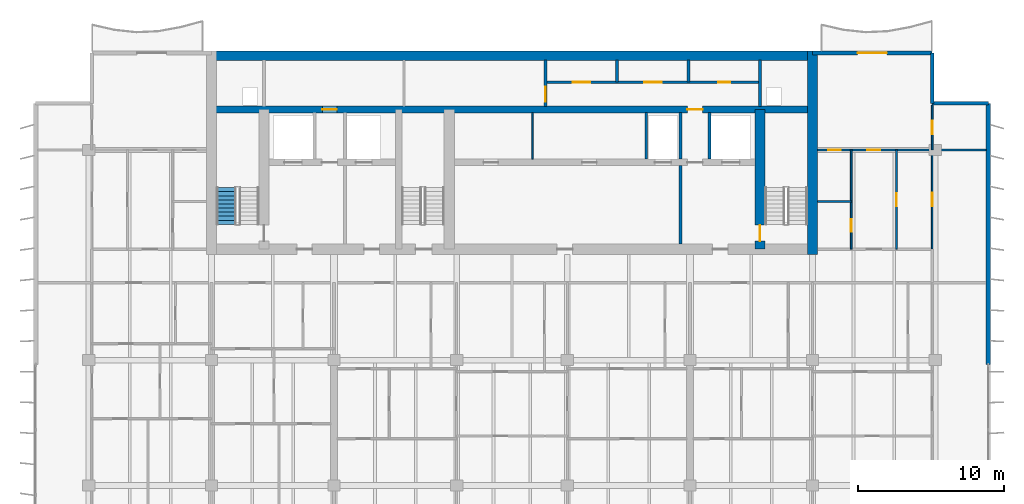
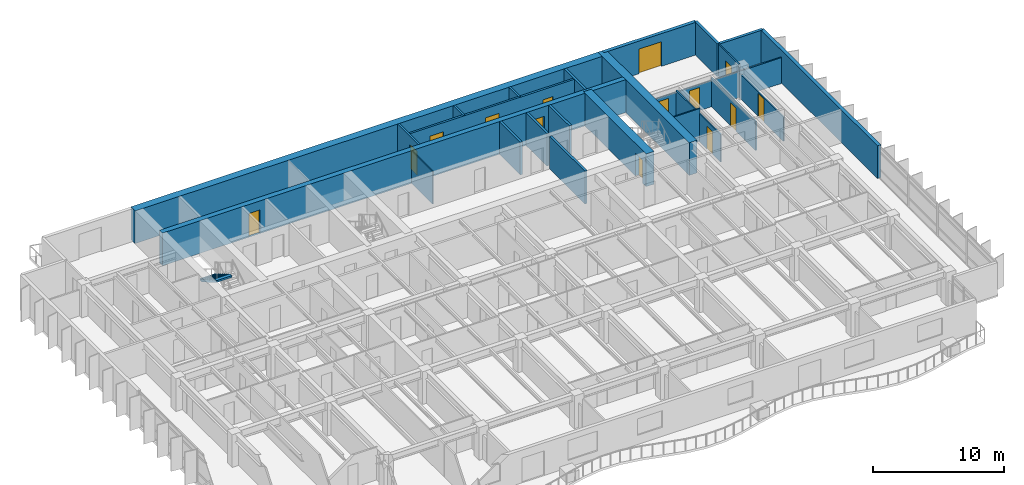
# One storey, part 12 of 17: 24 walls, 14 doors, 1 stair flight, 14 openings, 1 element without a shape of its own.
"""IFC4 building model written with IfcOpenShell, lengths in metres."""

from ifc_helpers import new_model, si_unit, direction, frame, frame_2d, origin, place, context, subcontext, project, spatial, polyline, rectangle, outline, extrude, material, layer, layer_set, type_object, element, fill, aggregate, save


model = new_model("IFC4")

# Units and contexts
model_context = context("Model", 3, precision=1e-05, world=origin(), true_north=direction((0.0, 1.0)))
body_context = subcontext(model_context, "Body", "Model", "MODEL_VIEW")
ifc_project = project(units=[si_unit("LENGTHUNIT", "METRE"), si_unit("AREAUNIT", "SQUARE_METRE"), si_unit("VOLUMEUNIT", "CUBIC_METRE"), si_unit("PLANEANGLEUNIT", "RADIAN"), si_unit("MASSUNIT", "GRAM", prefix="KILO")], contexts=[model_context])

# Site, building, storey
site_placement = place(None, origin())
site = spatial("IfcSite", under=ifc_project, at=site_placement, CompositionType="ELEMENT")
building_placement = place(site_placement, origin())
building = spatial("IfcBuilding", under=site, at=building_placement, Name="Caelmar Bay Residences", CompositionType="ELEMENT")
storey_placement = place(building_placement, frame((0.0, 0.0, 201.60009765625)))
storey = spatial("IfcBuildingStorey", under=building, at=storey_placement, Name="L56", CompositionType="ELEMENT", Elevation=201.60009765625)

# Wall
ifc_material_1 = material(Name="Concrete f'c 55 MPa (8,000 psi)", Category="concrete")
ifc_layer_1 = layer(ifc_material_1, 0.699951171875)
ifc_layer_set_1 = layer_set([ifc_layer_1], Name="Concrete f'c 55 MPa (8,000 psi)")
wall_type_1 = type_object("IfcWallType", Name="SW-COR-700", PredefinedType="SHEAR", material=ifc_layer_set_1)
wall_1_placement = place(storey_placement, frame((59.5, 36.64990234375, 0.0), z_axis=(0.0, 0.0, 1.0), x_axis=(0.0, 1.0, 0.0)))
element("IfcWall", 1, at=wall_1_placement, inside=storey, type_object=wall_type_1, Name="L56 Rear Core East Shear Wall", PredefinedType="SHEAR", context=body_context, shape_type="SweptSolid", body=[
    extrude(rectangle(XDim=13.9501953125, YDim=0.699951171875, at=frame_2d((6.97509765625, 0.0))), origin(), (0.0, 0.0, 1.0), 3.0498046875),
])

# Wall, opening, door
wall_2_placement = place(storey_placement, frame((55.89990234375, 37.0, 0.0), z_axis=(0.0, 0.0, 1.0), x_axis=(0.0, 1.0, 0.0)))
wall_2 = element("IfcWall", 2, at=wall_2_placement, inside=storey, type_object=wall_type_1, Name="L56 Core Structural Web Wall ST2W", PredefinedType="SHEAR", context=body_context, shape_type="SweptSolid", body=[
    extrude(rectangle(XDim=9.574951171875, YDim=0.699951171875, at=frame_2d((4.78759765625, 0.0))), origin(), (0.0, 0.0, 1.0), 3.0498046875),
])
opening_1_placement = place(wall_2_placement, frame((0.550048828125, 0.0, 0.0)))
opening_1 = element("IfcOpeningElement", 3, at=opening_1_placement, cuts=wall_2, Name="Opening D-L56-110", PredefinedType="OPENING", context=body_context, shape_type="SweptSolid", body=[
    extrude(rectangle(XDim=1.10009765625, YDim=2.14990234375, at=frame_2d((0.550048828125, 1.074951171875))), frame((0.0, 0.35986328125, 0.0), z_axis=(0.0, -1.0, 0.0), x_axis=(1.0, 0.0, 0.0)), (0.0, 0.0, 1.0), 0.719970703125),
])
ifc_material_2 = material(Name="Fire-rated steel and walnut architectural door assembly", Category="steel")
ifc_layer_2 = layer(ifc_material_2, 0.050048828125)
ifc_layer_set_2 = layer_set([ifc_layer_2], Name="Fire-rated steel and walnut architectural door assembly")
door_type_1 = type_object("IfcDoorType", Name="D-STAIR-1100", OperationType="NOTDEFINED", PredefinedType="DOOR", material=ifc_layer_set_2)
door_1_placement = place(opening_1_placement, origin())
door_1 = element("IfcDoor", 4, at=door_1_placement, inside=storey, type_object=door_type_1, Name="L56 Firefighting Lobby East Door", OperationType="SINGLE_SWING_RIGHT", OverallHeight=2.14990234375, OverallWidth=1.10009765625, PredefinedType="DOOR", context=body_context, shape_type="SweptSolid", body=[
    extrude(rectangle(XDim=1.10009765625, YDim=2.14990234375, at=frame_2d((0.550048828125, 1.074951171875))), frame((0.0, 0.02490234375, 0.0), z_axis=(0.0, -1.0, 0.0), x_axis=(1.0, 0.0, 0.0)), (0.0, 0.0, 1.0), 0.050048828125),
])
fill(opening_1, door_1)

# Wall
ifc_layer_3 = layer(ifc_material_1, 0.64990234375)
ifc_layer_set_3 = layer_set([ifc_layer_3], Name="Concrete f'c 55 MPa (8,000 psi)")
wall_type_2 = type_object("IfcWallType", Name="SW-CORN-650", PredefinedType="SHEAR", material=ifc_layer_set_3)
wall_3_placement = place(storey_placement, frame((17.949951171875, 50.27490234375, 0.0), z_axis=(0.0, 0.0, 1.0), x_axis=(1.0, 0.0, 0.0)))
element("IfcWall", 5, at=wall_3_placement, inside=storey, type_object=wall_type_2, Name="L56 Rear Core North Shear Wall", PredefinedType="SHEAR", context=body_context, shape_type="SweptSolid", body=[
    extrude(rectangle(XDim=41.900146484375, YDim=0.64990234375, at=frame_2d((20.9501953125, 0.0))), origin(), (0.0, 0.0, 1.0), 3.0498046875),
])

# Wall, openings, doors
ifc_material_3 = material(Name="Concrete f'c 70 MPa (10,000 psi)", Category="concrete")
ifc_layer_4 = layer(ifc_material_3, 0.449951171875)
ifc_layer_set_4 = layer_set([ifc_layer_4], Name="Concrete f'c 70 MPa (10,000 psi)")
wall_type_3 = type_object("IfcWallType", Name="SW-WEB-450", PredefinedType="SHEAR", material=ifc_layer_set_4)
wall_4_placement = place(storey_placement, frame((18.300048828125, 46.574951171875, 0.0), z_axis=(0.0, 0.0, 1.0), x_axis=(1.0, 0.0, 0.0)))
wall_4 = element("IfcWall", 6, at=wall_4_placement, inside=storey, type_object=wall_type_3, Name="L56 Core Structural Web Wall SRVS", PredefinedType="SHEAR", context=body_context, shape_type="SweptSolid", body=[
    extrude(rectangle(XDim=41.199951171875, YDim=0.449951171875, at=frame_2d((20.60009765625, 0.0))), origin(), (0.0, 0.0, 1.0), 3.0498046875),
])
opening_2_placement = place(wall_4_placement, frame((7.60009765625, 0.0, 0.0)))
opening_2 = element("IfcOpeningElement", 7, at=opening_2_placement, cuts=wall_4, Name="Opening D-L56-116", PredefinedType="OPENING", context=body_context, shape_type="SweptSolid", body=[
    extrude(rectangle(XDim=1.0, YDim=2.199951171875, at=frame_2d((0.5, 1.10009765625))), frame((0.0, 0.23486328125, 0.0), z_axis=(0.0, -1.0, 0.0), x_axis=(1.0, 0.0, 0.0)), (0.0, 0.0, 1.0), 0.469970703125),
])
opening_3_placement = place(wall_4_placement, frame((32.625, 0.0, 0.0)))
opening_3 = element("IfcOpeningElement", 8, at=opening_3_placement, cuts=wall_4, Name="Opening D-L56-117", PredefinedType="OPENING", context=body_context, shape_type="SweptSolid", body=[
    extrude(rectangle(XDim=1.050048828125, YDim=2.14990234375, at=frame_2d((0.52490234375, 1.074951171875))), frame((0.0, 0.23486328125, 0.0), z_axis=(0.0, -1.0, 0.0), x_axis=(1.0, 0.0, 0.0)), (0.0, 0.0, 1.0), 0.469970703125),
])
ifc_layer_5 = layer(ifc_material_2, 0.050048828125)
ifc_layer_set_5 = layer_set([ifc_layer_5], Name="Fire-rated steel and walnut architectural door assembly")
door_type_2 = type_object("IfcDoorType", Name="D-FSAE-1050", OperationType="NOTDEFINED", PredefinedType="DOOR", material=ifc_layer_set_5)
door_2_placement = place(opening_3_placement, origin())
door_2 = element("IfcDoor", 9, at=door_2_placement, inside=storey, type_object=door_type_2, Name="L56 East Core Service Corridor Door", OperationType="SINGLE_SWING_LEFT", OverallHeight=2.14990234375, OverallWidth=1.050048828125, PredefinedType="DOOR", context=body_context, shape_type="SweptSolid", body=[
    extrude(rectangle(XDim=1.050048828125, YDim=2.14990234375, at=frame_2d((0.52490234375, 1.074951171875))), frame((0.0, 0.02490234375, 0.0), z_axis=(0.0, -1.0, 0.0), x_axis=(1.0, 0.0, 0.0)), (0.0, 0.0, 1.0), 0.050048828125),
])
fill(opening_3, door_2)
ifc_layer_6 = layer(ifc_material_2, 0.050048828125)
ifc_layer_set_6 = layer_set([ifc_layer_6], Name="Fire-rated steel and walnut architectural door assembly")
door_type_3 = type_object("IfcDoorType", Name="D-UNIT-1000", OperationType="NOTDEFINED", PredefinedType="DOOR", material=ifc_layer_set_6)
door_3_placement = place(opening_2_placement, origin())
door_3 = element("IfcDoor", 10, at=door_3_placement, inside=storey, type_object=door_type_3, Name="L56 Package Concierge Office Door", OperationType="SINGLE_SWING_RIGHT", OverallHeight=2.199951171875, OverallWidth=1.0, PredefinedType="DOOR", context=body_context, shape_type="SweptSolid", body=[
    extrude(rectangle(XDim=1.0, YDim=2.199951171875, at=frame_2d((0.5, 1.10009765625))), frame((0.0, 0.02490234375, 0.0), z_axis=(0.0, -1.0, 0.0), x_axis=(1.0, 0.0, 0.0)), (0.0, 0.0, 1.0), 0.050048828125),
])
fill(opening_2, door_3)

# Wall, opening, door
ifc_material_4 = material(Name="Double-stud acoustic fire-rated gypsum partition 180 mm")
ifc_layer_7 = layer(ifc_material_4, 0.179931640625)
ifc_layer_set_7 = layer_set([ifc_layer_7], Name="Double-stud acoustic fire-rated gypsum partition 180 mm")
wall_type_4 = type_object("IfcWallType", Name="W-COR-200", PredefinedType="PARTITIONING", material=ifc_layer_set_7)
wall_5_placement = place(storey_placement, frame((41.199951171875, 46.794921875, 0.0), z_axis=(0.0, 0.0, 1.0), x_axis=(0.0, 1.0, 0.0)))
wall_5 = element("IfcWall", 11, at=wall_5_placement, inside=storey, type_object=wall_type_4, Name="L56 Partition Wall V031", PredefinedType="PARTITIONING", context=body_context, shape_type="SweptSolid", body=[
    extrude(rectangle(XDim=3.16015625, YDim=0.179931640625, at=frame_2d((1.580078125, 0.0))), origin(), (0.0, 0.0, 1.0), 3.0498046875),
])
opening_4_placement = place(wall_5_placement, frame((0.327392578125, 0.0, 0.0)))
opening_4 = element("IfcOpeningElement", 12, at=opening_4_placement, cuts=wall_5, Name="Opening D-L56-118", PredefinedType="OPENING", context=body_context, shape_type="SweptSolid", body=[
    extrude(rectangle(XDim=1.0, YDim=2.199951171875, at=frame_2d((0.5, 1.10009765625))), frame((0.0, 0.099853515625, 0.0), z_axis=(0.0, -1.0, 0.0), x_axis=(1.0, 0.0, 0.0)), (0.0, 0.0, 1.0), 0.199951171875),
])
door_4_placement = place(opening_4_placement, origin())
door_4 = element("IfcDoor", 13, at=door_4_placement, inside=storey, type_object=door_type_3, Name="L56 Engineering Control Office Door", OperationType="SINGLE_SWING_RIGHT", OverallHeight=2.199951171875, OverallWidth=1.0, PredefinedType="DOOR", context=body_context, shape_type="SweptSolid", body=[
    extrude(rectangle(XDim=1.0, YDim=2.199951171875, at=frame_2d((0.5, 1.10009765625))), frame((0.0, 0.02490234375, 0.0), z_axis=(0.0, -1.0, 0.0), x_axis=(1.0, 0.0, 0.0)), (0.0, 0.0, 1.0), 0.050048828125),
])
fill(opening_4, door_4)

# Walls
for number, where, z_axis, x_axis, name in (
    (14, (46.10009765625, 48.449951171875, 0.0), (0.0, 0.0, 1.0), (0.0, 1.0, 0.0), "L56 Partition Wall V034"),
    (15, (51.0, 48.449951171875, 0.0), (0.0, 0.0, 1.0), (0.0, 1.0, 0.0), "L56 Partition Wall V039"),
):
    element("IfcWall", number, at=place(storey_placement, frame(where, z_axis=z_axis, x_axis=x_axis)), inside=storey, type_object=wall_type_4, Name=name, PredefinedType="PARTITIONING", context=body_context, shape_type="SweptSolid", body=[
        extrude(rectangle(XDim=1.505126953125, YDim=0.179931640625, at=frame_2d((0.75244140625, 0.0))), origin(), (0.0, 0.0, 1.0), 3.0498046875),
    ])

# Wall, openings, doors
wall_6_placement = place(storey_placement, frame((41.199951171875, 48.449951171875, 0.0), z_axis=(0.0, 0.0, 1.0), x_axis=(1.0, 0.0, 0.0)))
wall_6 = element("IfcWall", 16, at=wall_6_placement, inside=storey, type_object=wall_type_4, Name="L56 Partition Wall H087", PredefinedType="PARTITIONING", context=body_context, shape_type="SweptSolid", body=[
    extrude(rectangle(XDim=14.699951171875, YDim=0.179931640625, at=frame_2d((7.35009765625, 0.0))), origin(), (0.0, 0.0, 1.0), 3.0498046875),
])
opening_5_placement = place(wall_6_placement, frame((1.85009765625, 0.0, 0.0)))
opening_5 = element("IfcOpeningElement", 17, at=opening_5_placement, cuts=wall_6, Name="Opening D-L56-119", PredefinedType="OPENING", context=body_context, shape_type="SweptSolid", body=[
    extrude(rectangle(XDim=1.199951171875, YDim=2.199951171875, at=frame_2d((0.60009765625, 1.10009765625))), frame((0.0, 0.099853515625, 0.0), z_axis=(0.0, -1.0, 0.0), x_axis=(1.0, 0.0, 0.0)), (0.0, 0.0, 1.0), 0.199951171875),
])
opening_6_placement = place(wall_6_placement, frame((6.75, 0.0, 0.0)))
opening_6 = element("IfcOpeningElement", 18, at=opening_6_placement, cuts=wall_6, Name="Opening D-L56-120", PredefinedType="OPENING", context=body_context, shape_type="SweptSolid", body=[
    extrude(rectangle(XDim=1.199951171875, YDim=2.199951171875, at=frame_2d((0.60009765625, 1.10009765625))), frame((0.0, 0.099853515625, 0.0), z_axis=(0.0, -1.0, 0.0), x_axis=(1.0, 0.0, 0.0)), (0.0, 0.0, 1.0), 0.199951171875),
])
opening_7_placement = place(wall_6_placement, frame((11.824951171875, 0.0, 0.0)))
opening_7 = element("IfcOpeningElement", 19, at=opening_7_placement, cuts=wall_6, Name="Opening D-L56-121", PredefinedType="OPENING", context=body_context, shape_type="SweptSolid", body=[
    extrude(rectangle(XDim=0.85009765625, YDim=2.10009765625, at=frame_2d((0.425048828125, 1.050048828125))), frame((0.0, 0.099853515625, 0.0), z_axis=(0.0, -1.0, 0.0), x_axis=(1.0, 0.0, 0.0)), (0.0, 0.0, 1.0), 0.199951171875),
])
ifc_layer_8 = layer(ifc_material_2, 0.050048828125)
ifc_layer_set_8 = layer_set([ifc_layer_8], Name="Fire-rated steel and walnut architectural door assembly")
door_type_4 = type_object("IfcDoorType", Name="D-CORE-850", OperationType="NOTDEFINED", PredefinedType="DOOR", material=ifc_layer_set_8)
door_5_placement = place(opening_7_placement, origin())
door_5 = element("IfcDoor", 20, at=door_5_placement, inside=storey, type_object=door_type_4, Name="L56 Accessible Staff WC Door", OperationType="SINGLE_SWING_LEFT", OverallHeight=2.10009765625, OverallWidth=0.85009765625, PredefinedType="DOOR", context=body_context, shape_type="SweptSolid", body=[
    extrude(rectangle(XDim=0.85009765625, YDim=2.10009765625, at=frame_2d((0.425048828125, 1.050048828125))), frame((0.0, 0.02490234375, 0.0), z_axis=(0.0, -1.0, 0.0), x_axis=(1.0, 0.0, 0.0)), (0.0, 0.0, 1.0), 0.050048828125),
])
fill(opening_7, door_5)
ifc_layer_9 = layer(ifc_material_2, 0.050048828125)
ifc_layer_set_9 = layer_set([ifc_layer_9], Name="Fire-rated steel and walnut architectural door assembly")
door_type_5 = type_object("IfcDoorType", Name="D-PLANT-1200", OperationType="NOTDEFINED", PredefinedType="DOOR", material=ifc_layer_set_9)
door_6_placement = place(opening_5_placement, origin())
door_6 = element("IfcDoor", 21, at=door_6_placement, inside=storey, type_object=door_type_5, Name="L56 Electrical Closet Door", OperationType="SINGLE_SWING_LEFT", OverallHeight=2.199951171875, OverallWidth=1.199951171875, PredefinedType="DOOR", context=body_context, shape_type="SweptSolid", body=[
    extrude(rectangle(XDim=1.199951171875, YDim=2.199951171875, at=frame_2d((0.60009765625, 1.10009765625))), frame((0.0, 0.02490234375, 0.0), z_axis=(0.0, -1.0, 0.0), x_axis=(1.0, 0.0, 0.0)), (0.0, 0.0, 1.0), 0.050048828125),
])
fill(opening_5, door_6)
door_7_placement = place(opening_6_placement, origin())
door_7 = element("IfcDoor", 22, at=door_7_placement, inside=storey, type_object=door_type_5, Name="L56 Housekeeping Linen Closet Door", OperationType="SINGLE_SWING_RIGHT", OverallHeight=2.199951171875, OverallWidth=1.199951171875, PredefinedType="DOOR", context=body_context, shape_type="SweptSolid", body=[
    extrude(rectangle(XDim=1.199951171875, YDim=2.199951171875, at=frame_2d((0.60009765625, 1.10009765625))), frame((0.0, 0.02490234375, 0.0), z_axis=(0.0, -1.0, 0.0), x_axis=(1.0, 0.0, 0.0)), (0.0, 0.0, 1.0), 0.050048828125),
])
fill(opening_6, door_7)

# Walls
ifc_material_5 = material(Name="Precast concrete f'c 40 MPa (6,000 psi)", Category="concrete")
ifc_layer_10 = layer(ifc_material_5, 0.25)
ifc_layer_set_10 = layer_set([ifc_layer_10], Name="Precast concrete f'c 40 MPa (6,000 psi)")
wall_type_5 = type_object("IfcWallType", Name="W-EXT-250", PredefinedType="ELEMENTEDWALL", material=ifc_layer_set_10)
wall_7_placement = place(storey_placement, frame((67.699951171875, 50.449951171875, 0.0), z_axis=(0.0, 0.0, 1.0), x_axis=(0.0, -1.0, 0.0)))
element("IfcWall", 23, at=wall_7_placement, inside=storey, type_object=wall_type_5, Name="L56 NNE-V Notch Wall", PredefinedType="ELEMENTEDWALL", context=body_context, shape_type="SweptSolid", body=[
    extrude(rectangle(XDim=3.449951171875, YDim=0.25, at=frame_2d((1.72509765625, 0.0))), origin(), (0.0, 0.0, 1.0), 3.0498046875),
])
wall_8_placement = place(storey_placement, frame((67.699951171875, 47.0, 0.0), z_axis=(0.0, 0.0, 1.0), x_axis=(1.0, 0.0, 0.0)))
element("IfcWall", 24, at=wall_8_placement, inside=storey, type_object=wall_type_5, Name="L56 NNE-H Notch Wall", PredefinedType="ELEMENTEDWALL", context=body_context, shape_type="SweptSolid", body=[
    extrude(rectangle(XDim=3.85009765625, YDim=0.25, at=frame_2d((1.925048828125, 0.0))), origin(), (0.0, 0.0, 1.0), 3.0498046875),
])
ifc_layer_11 = layer(ifc_material_5, 0.300048828125)
ifc_layer_set_11 = layer_set([ifc_layer_11], Name="Precast concrete f'c 40 MPa (6,000 psi)")
wall_type_6 = type_object("IfcWallType", Name="W-EXT-300", PredefinedType="STANDARD", material=ifc_layer_set_11)
wall_9_placement = place(storey_placement, frame((71.550048828125, 47.0, 0.0), z_axis=(0.0, 0.0, 1.0), x_axis=(0.0, -1.0, 0.0)))
element("IfcWall", 25, at=wall_9_placement, inside=storey, type_object=wall_type_6, Name="L56 East Rear Exterior Wall", PredefinedType="STANDARD", context=body_context, shape_type="SweptSolid", body=[
    extrude(rectangle(XDim=17.89990234375, YDim=0.300048828125, at=frame_2d((8.949951171875, 0.0))), origin(), (0.0, 0.0, 1.0), 3.0498046875),
])

# Wall, opening, door
wall_10_placement = place(storey_placement, frame((59.5, 50.449951171875, 0.0), z_axis=(0.0, 0.0, 1.0), x_axis=(1.0, 0.0, 0.0)))
wall_10 = element("IfcWall", 26, at=wall_10_placement, inside=storey, type_object=wall_type_6, Name="L56 North-East Wing Exterior Wall", PredefinedType="STANDARD", context=body_context, shape_type="SweptSolid", body=[
    extrude(rectangle(XDim=8.199951171875, YDim=0.300048828125, at=frame_2d((4.10009765625, 0.0))), origin(), (0.0, 0.0, 1.0), 3.0498046875),
])
opening_8_placement = place(wall_10_placement, frame((3.10009765625, 0.0, 0.0)))
opening_8 = element("IfcOpeningElement", 27, at=opening_8_placement, cuts=wall_10, Name="Opening L56-BDNE", PredefinedType="OPENING", context=body_context, shape_type="SweptSolid", body=[
    extrude(rectangle(XDim=2.0, YDim=2.300048828125, at=frame_2d((1.0, 1.14990234375))), frame((0.0, 0.159912109375, 0.0), z_axis=(0.0, -1.0, 0.0), x_axis=(1.0, 0.0, 0.0)), (0.0, 0.0, 1.0), 0.320068359375),
])
ifc_material_6 = material(Name="Anodised bronze thermally broken sliding glass door", Category="glass")
ifc_layer_12 = layer(ifc_material_6, 0.050048828125)
ifc_layer_set_12 = layer_set([ifc_layer_12], Name="Anodised bronze thermally broken sliding glass door")
door_type_6 = type_object("IfcDoorType", Name="D-BAL-2000", OperationType="DOUBLE_DOOR_SLIDING", PredefinedType="DOOR", material=ifc_layer_set_12)
door_8_placement = place(opening_8_placement, origin())
door_8 = element("IfcDoor", 28, at=door_8_placement, inside=storey, type_object=door_type_6, Name="L56 North-East Balcony Door", OperationType="DOUBLE_DOOR_SLIDING", OverallHeight=2.300048828125, OverallWidth=2.0, PredefinedType="DOOR", context=body_context, shape_type="SweptSolid", body=[
    extrude(rectangle(XDim=2.0, YDim=2.300048828125, at=frame_2d((1.0, 1.14990234375))), frame((0.0, 0.02490234375, 0.0), z_axis=(0.0, -1.0, 0.0), x_axis=(1.0, 0.0, 0.0)), (0.0, 0.0, 1.0), 0.050048828125),
])
fill(opening_8, door_8)

# Walls
ifc_material_7 = material(Name="Fire-rated masonry and gypsum shaftliner assembly 200 mm", Category="masonry")
ifc_layer_13 = layer(ifc_material_7, 0.199951171875)
ifc_layer_set_13 = layer_set([ifc_layer_13], Name="Fire-rated masonry and gypsum shaftliner assembly 200 mm")
wall_type_7 = type_object("IfcWallType", Name="W-FSAE-200", PredefinedType="PARTITIONING", material=ifc_layer_set_13)
wall_11_placement = place(storey_placement, frame((48.10009765625, 43.169921875, 0.0), z_axis=(0.0, 0.0, 1.0), x_axis=(0.0, 1.0, 0.0)))
element("IfcWall", 29, at=wall_11_placement, inside=storey, type_object=wall_type_7, Name="L56 Partition Wall V035", PredefinedType="PARTITIONING", context=body_context, shape_type="SweptSolid", body=[
    extrude(rectangle(XDim=3.18505859375, YDim=0.199951171875, at=frame_2d((1.592529296875, 0.0))), origin(), (0.0, 0.0, 1.0), 3.0498046875),
])
wall_12_placement = place(storey_placement, frame((50.449951171875, 37.344970703125, 0.0), z_axis=(0.0, 0.0, 1.0), x_axis=(0.0, 1.0, 0.0)))
element("IfcWall", 30, at=wall_12_placement, inside=storey, type_object=wall_type_7, Name="L56 Partition Wall V037", PredefinedType="PARTITIONING", context=body_context, shape_type="SweptSolid", body=[
    extrude(rectangle(XDim=5.385009765625, YDim=0.199951171875, at=frame_2d((2.6923828125, 0.0))), origin(), (0.0, 0.0, 1.0), 3.0498046875),
])
for number, where, z_axis, x_axis, name in (
    (31, (50.449951171875, 43.169921875, 0.0), (0.0, 0.0, 1.0), (0.0, 1.0, 0.0), "L56 Partition Wall V038"),
    (32, (52.449951171875, 43.169921875, 0.0), (0.0, 0.0, 1.0), (0.0, 1.0, 0.0), "L56 Partition Wall V043"),
):
    element("IfcWall", number, at=place(storey_placement, frame(where, z_axis=z_axis, x_axis=x_axis)), inside=storey, type_object=wall_type_7, Name=name, PredefinedType="PARTITIONING", context=body_context, shape_type="SweptSolid", body=[
        extrude(rectangle(XDim=3.18505859375, YDim=0.199951171875, at=frame_2d((1.592529296875, 0.0))), origin(), (0.0, 0.0, 1.0), 3.0498046875),
    ])
wall_13_placement = place(storey_placement, frame((55.89990234375, 46.794921875, 0.0), z_axis=(0.0, 0.0, 1.0), x_axis=(0.0, 1.0, 0.0)))
element("IfcWall", 33, at=wall_13_placement, inside=storey, type_object=wall_type_7, Name="L56 Partition Wall V045", PredefinedType="PARTITIONING", context=body_context, shape_type="SweptSolid", body=[
    extrude(rectangle(XDim=3.16015625, YDim=0.199951171875, at=frame_2d((1.580078125, 0.0))), origin(), (0.0, 0.0, 1.0), 3.0498046875),
])
ifc_material_8 = material(Name="Anodised bronze framed acoustic sliding study partition 100 mm")
ifc_layer_14 = layer(ifc_material_8, 0.10009765625)
ifc_layer_set_14 = layer_set([ifc_layer_14], Name="Anodised bronze framed acoustic sliding study partition 100 mm")
wall_type_8 = type_object("IfcWallType", Name="W-MOV-100", PredefinedType="MOVABLE", material=ifc_layer_set_14)
wall_14_placement = place(storey_placement, frame((40.300048828125, 43.169921875, 0.0), z_axis=(0.0, 0.0, 1.0), x_axis=(0.0, 1.0, 0.0)))
element("IfcWall", 34, at=wall_14_placement, inside=storey, type_object=wall_type_8, Name="L56 Partition Wall V029", PredefinedType="MOVABLE", context=body_context, shape_type="SweptSolid", body=[
    extrude(rectangle(XDim=3.18505859375, YDim=0.10009765625, at=frame_2d((1.592529296875, 0.0))), origin(), (0.0, 0.0, 1.0), 3.0498046875),
])

# Wall, opening, door
wall_15_placement = place(storey_placement, frame((67.699951171875, 37.0048828125, 0.0), z_axis=(0.0, 0.0, 1.0), x_axis=(0.0, 1.0, 0.0)))
wall_15 = element("IfcWall", 35, at=wall_15_placement, inside=storey, type_object=wall_type_8, Name="L56 Partition Wall V054", PredefinedType="MOVABLE", context=body_context, shape_type="SweptSolid", body=[
    extrude(rectangle(XDim=6.795166015625, YDim=0.10009765625, at=frame_2d((3.3974609375, 0.0))), origin(), (0.0, 0.0, 1.0), 2.262939453125),
])
opening_9_placement = place(wall_15_placement, frame((2.947509765625, 0.0, 0.0)))
opening_9 = element("IfcOpeningElement", 36, at=opening_9_placement, cuts=wall_15, Name="Opening D-L56-175", PredefinedType="OPENING", context=body_context, shape_type="SweptSolid", body=[
    extrude(rectangle(XDim=0.89990234375, YDim=2.14990234375, at=frame_2d((0.449951171875, 1.074951171875))), frame((0.0, 0.06005859375, 0.0), z_axis=(0.0, -1.0, 0.0), x_axis=(1.0, 0.0, 0.0)), (0.0, 0.0, 1.0), 0.1201171875),
])
ifc_material_9 = material(Name="Solid walnut timber interior door leaf and frame", Category="wood")
ifc_layer_15 = layer(ifc_material_9, 0.050048828125)
ifc_layer_set_15 = layer_set([ifc_layer_15], Name="Solid walnut timber interior door leaf and frame")
door_type_7 = type_object("IfcDoorType", Name="D-ROOM-900", OperationType="NOTDEFINED", PredefinedType="DOOR", material=ifc_layer_set_15)
door_9_placement = place(opening_9_placement, origin())
door_9 = element("IfcDoor", 37, at=door_9_placement, inside=storey, type_object=door_type_7, Name="L56 Residence EA Sun Study Door", OperationType="SINGLE_SWING_LEFT", OverallHeight=2.14990234375, OverallWidth=0.89990234375, PredefinedType="DOOR", context=body_context, shape_type="SweptSolid", body=[
    extrude(rectangle(XDim=0.89990234375, YDim=2.14990234375, at=frame_2d((0.449951171875, 1.074951171875))), frame((0.0, 0.02490234375, 0.0), z_axis=(0.0, -1.0, 0.0), x_axis=(1.0, 0.0, 0.0)), (0.0, 0.0, 1.0), 0.050048828125),
])
fill(opening_9, door_9)

ifc_material_10 = material(Name="Acoustic metal-stud gypsum partition 120 mm")
ifc_layer_16 = layer(ifc_material_10, 0.1201171875)
ifc_layer_set_16 = layer_set([ifc_layer_16], Name="Acoustic metal-stud gypsum partition 120 mm")
wall_type_9 = type_object("IfcWallType", Name="W-PRT-120", PredefinedType="PARTITIONING", material=ifc_layer_set_16)
wall_16_placement = place(storey_placement, frame((62.14990234375, 37.0, 0.0), z_axis=(0.0, 0.0, 1.0), x_axis=(0.0, 1.0, 0.0)))
wall_16 = element("IfcWall", 38, at=wall_16_placement, inside=storey, type_object=wall_type_9, Name="L56 Partition Wall V049", PredefinedType="PARTITIONING", context=body_context, shape_type="SweptSolid", body=[
    extrude(rectangle(XDim=6.800048828125, YDim=0.1201171875, at=frame_2d((3.39990234375, 0.0))), origin(), (0.0, 0.0, 1.0), 2.577880859375),
])
opening_10_placement = place(wall_16_placement, frame((1.20703125, 0.0, 0.0)))
opening_10 = element("IfcOpeningElement", 39, at=opening_10_placement, cuts=wall_16, Name="Opening D-L56-173", PredefinedType="OPENING", context=body_context, shape_type="SweptSolid", body=[
    extrude(rectangle(XDim=0.85009765625, YDim=2.10009765625, at=frame_2d((0.425048828125, 1.050048828125))), frame((0.0, 0.070068359375, 0.0), z_axis=(0.0, -1.0, 0.0), x_axis=(1.0, 0.0, 0.0)), (0.0, 0.0, 1.0), 0.14013671875),
])
ifc_layer_17 = layer(ifc_material_9, 0.050048828125)
ifc_layer_set_17 = layer_set([ifc_layer_17], Name="Solid walnut timber interior door leaf and frame")
door_type_8 = type_object("IfcDoorType", Name="D-BATH-850", OperationType="NOTDEFINED", PredefinedType="DOOR", material=ifc_layer_set_17)
door_10_placement = place(opening_10_placement, origin())
door_10 = element("IfcDoor", 40, at=door_10_placement, inside=storey, type_object=door_type_8, Name="L56 Residence EA Walk-In Closet Door", OperationType="SINGLE_SWING_LEFT", OverallHeight=2.10009765625, OverallWidth=0.85009765625, PredefinedType="DOOR", context=body_context, shape_type="SweptSolid", body=[
    extrude(rectangle(XDim=0.85009765625, YDim=2.10009765625, at=frame_2d((0.425048828125, 1.050048828125))), frame((0.0, 0.02490234375, 0.0), z_axis=(0.0, -1.0, 0.0), x_axis=(1.0, 0.0, 0.0)), (0.0, 0.0, 1.0), 0.050048828125),
])
fill(opening_10, door_10)

wall_17_placement = place(storey_placement, frame((65.258056640625, 37.0, 0.0), z_axis=(0.0, 0.0, 1.0), x_axis=(0.0, 1.0, 0.0)))
wall_17 = element("IfcWall", 41, at=wall_17_placement, inside=storey, type_object=wall_type_9, Name="L56 Partition Wall V050", PredefinedType="PARTITIONING", context=body_context, shape_type="SweptSolid", body=[
    extrude(rectangle(XDim=6.800048828125, YDim=0.1201171875, at=frame_2d((3.39990234375, 0.0))), origin(), (0.0, 0.0, 1.0), 2.678955078125),
])
opening_11_placement = place(wall_17_placement, frame((2.949951171875, 0.0, 0.0)))
opening_11 = element("IfcOpeningElement", 42, at=opening_11_placement, cuts=wall_17, Name="Opening D-L56-170", PredefinedType="OPENING", context=body_context, shape_type="SweptSolid", body=[
    extrude(rectangle(XDim=0.89990234375, YDim=2.14990234375, at=frame_2d((0.449951171875, 1.074951171875))), frame((0.0, 0.070068359375, 0.0), z_axis=(0.0, -1.0, 0.0), x_axis=(1.0, 0.0, 0.0)), (0.0, 0.0, 1.0), 0.14013671875),
])
door_11_placement = place(opening_11_placement, origin())
door_11 = element("IfcDoor", 43, at=door_11_placement, inside=storey, type_object=door_type_7, Name="L56 Residence EA Dining Room Door", OperationType="SINGLE_SWING_RIGHT", OverallHeight=2.14990234375, OverallWidth=0.89990234375, PredefinedType="DOOR", context=body_context, shape_type="SweptSolid", body=[
    extrude(rectangle(XDim=0.89990234375, YDim=2.14990234375, at=frame_2d((0.449951171875, 1.074951171875))), frame((0.0, 0.02490234375, 0.0), z_axis=(0.0, -1.0, 0.0), x_axis=(1.0, 0.0, 0.0)), (0.0, 0.0, 1.0), 0.050048828125),
])
fill(opening_11, door_11)

wall_18_placement = place(storey_placement, frame((67.699951171875, 43.804931640625, 0.0), z_axis=(0.0, 0.0, 1.0), x_axis=(0.0, 1.0, 0.0)))
wall_18 = element("IfcWall", 44, at=wall_18_placement, inside=storey, type_object=wall_type_9, Name="L56 Partition Wall V055", PredefinedType="PARTITIONING", context=body_context, shape_type="SweptSolid", body=[
    extrude(rectangle(XDim=3.074951171875, YDim=0.1201171875, at=frame_2d((1.53759765625, 0.0))), origin(), (0.0, 0.0, 1.0), 3.0498046875),
])
opening_12_placement = place(wall_18_placement, frame((1.08740234375, 0.0, 0.0)))
opening_12 = element("IfcOpeningElement", 45, at=opening_12_placement, cuts=wall_18, Name="Opening D-L56-176", PredefinedType="OPENING", context=body_context, shape_type="SweptSolid", body=[
    extrude(rectangle(XDim=0.89990234375, YDim=2.14990234375, at=frame_2d((0.449951171875, 1.074951171875))), frame((0.0, 0.070068359375, 0.0), z_axis=(0.0, -1.0, 0.0), x_axis=(1.0, 0.0, 0.0)), (0.0, 0.0, 1.0), 0.14013671875),
])
door_12_placement = place(opening_12_placement, origin())
door_12 = element("IfcDoor", 46, at=door_12_placement, inside=storey, type_object=door_type_7, Name="L56 Residence EA North Sitting Alcove Door", OperationType="SINGLE_SWING_RIGHT", OverallHeight=2.14990234375, OverallWidth=0.89990234375, PredefinedType="DOOR", context=body_context, shape_type="SweptSolid", body=[
    extrude(rectangle(XDim=0.89990234375, YDim=2.14990234375, at=frame_2d((0.449951171875, 1.074951171875))), frame((0.0, 0.02490234375, 0.0), z_axis=(0.0, -1.0, 0.0), x_axis=(1.0, 0.0, 0.0)), (0.0, 0.0, 1.0), 0.050048828125),
])
fill(opening_12, door_12)

# Wall
wall_19_placement = place(storey_placement, frame((59.844970703125, 40.263916015625, 0.0), z_axis=(0.0, 0.0, 1.0), x_axis=(1.0, 0.0, 0.0)))
element("IfcWall", 47, at=wall_19_placement, inside=storey, type_object=wall_type_9, Name="L56 Partition Wall H084", PredefinedType="PARTITIONING", context=body_context, shape_type="SweptSolid", body=[
    extrude(rectangle(XDim=2.304931640625, YDim=0.1201171875, at=frame_2d((1.15234375, 0.0))), origin(), (0.0, 0.0, 1.0), 3.0498046875),
])

# Wall, openings, doors
wall_20_placement = place(storey_placement, frame((59.844970703125, 43.800048828125, 0.0), z_axis=(0.0, 0.0, 1.0), x_axis=(1.0, 0.0, 0.0)))
wall_20 = element("IfcWall", 48, at=wall_20_placement, inside=storey, type_object=wall_type_9, Name="L56 Partition Wall H086", PredefinedType="PARTITIONING", context=body_context, shape_type="SweptSolid", body=[
    extrude(rectangle(XDim=11.56005859375, YDim=0.1201171875, at=frame_2d((5.780029296875, 0.0))), origin(), (0.0, 0.0, 1.0), 2.41796875),
])
opening_13_placement = place(wall_20_placement, frame((3.408935546875, 0.0, 0.0)))
opening_13 = element("IfcOpeningElement", 49, at=opening_13_placement, cuts=wall_20, Name="Opening D-L56-172", PredefinedType="OPENING", context=body_context, shape_type="SweptSolid", body=[
    extrude(rectangle(XDim=0.89990234375, YDim=2.14990234375, at=frame_2d((0.449951171875, 1.074951171875))), frame((0.0, 0.070068359375, 0.0), z_axis=(0.0, -1.0, 0.0), x_axis=(1.0, 0.0, 0.0)), (0.0, 0.0, 1.0), 0.14013671875),
])
opening_14_placement = place(wall_20_placement, frame((0.7275390625, 0.0, 0.0)))
opening_14 = element("IfcOpeningElement", 50, at=opening_14_placement, cuts=wall_20, Name="Opening D-L56-174", PredefinedType="OPENING", context=body_context, shape_type="SweptSolid", body=[
    extrude(rectangle(XDim=0.85009765625, YDim=2.10009765625, at=frame_2d((0.425048828125, 1.050048828125))), frame((0.0, 0.070068359375, 0.0), z_axis=(0.0, -1.0, 0.0), x_axis=(1.0, 0.0, 0.0)), (0.0, 0.0, 1.0), 0.14013671875),
])
door_13_placement = place(opening_14_placement, origin())
door_13 = element("IfcDoor", 51, at=door_13_placement, inside=storey, type_object=door_type_8, Name="L56 Residence EA Bathroom Door", OperationType="SINGLE_SWING_RIGHT", OverallHeight=2.10009765625, OverallWidth=0.85009765625, PredefinedType="DOOR", context=body_context, shape_type="SweptSolid", body=[
    extrude(rectangle(XDim=0.85009765625, YDim=2.10009765625, at=frame_2d((0.425048828125, 1.050048828125))), frame((0.0, 0.02490234375, 0.0), z_axis=(0.0, -1.0, 0.0), x_axis=(1.0, 0.0, 0.0)), (0.0, 0.0, 1.0), 0.050048828125),
])
fill(opening_14, door_13)
door_14_placement = place(opening_13_placement, origin())
door_14 = element("IfcDoor", 52, at=door_14_placement, inside=storey, type_object=door_type_7, Name="L56 Residence EA Studio Living and Sleeping Room Door", OperationType="SINGLE_SWING_RIGHT", OverallHeight=2.14990234375, OverallWidth=0.89990234375, PredefinedType="DOOR", context=body_context, shape_type="SweptSolid", body=[
    extrude(rectangle(XDim=0.89990234375, YDim=2.14990234375, at=frame_2d((0.449951171875, 1.074951171875))), frame((0.0, 0.02490234375, 0.0), z_axis=(0.0, -1.0, 0.0), x_axis=(1.0, 0.0, 0.0)), (0.0, 0.0, 1.0), 0.050048828125),
])
fill(opening_13, door_14)

# Stair, stair flight
ifc_material_11 = material(Name="Concrete f'c 40 MPa (6,000 psi)", Category="concrete")
stair_type = type_object("IfcStairType", Name="ST-TYP-165", PredefinedType="HALF_TURN_STAIR", material=ifc_material_11)
stair_placement = place(storey_placement, origin())
stair = element("IfcStair", 53, at=stair_placement, inside=storey, type_object=stair_type, Name="L56 West Smokeproof Exit Stair ST1", PredefinedType="HALF_TURN_STAIR")
stair_flight_type = type_object("IfcStairFlightType", Name="STF-1350", PredefinedType="STRAIGHT", material=ifc_material_11)
stair_flight_placement = place(storey_placement, frame((19.324951171875, 41.219970703125, 1.64990234375), z_axis=(0.0, 0.0, 1.0), x_axis=(0.0, -1.0, 0.0)))
stair_flight = element("IfcStairFlight", 54, at=stair_flight_placement, type_object=stair_flight_type, Name="ST1 flight 2", NumberOfRisers=10, NumberOfTreads=9, PredefinedType="STRAIGHT", RiserHeight=0.165, TreadLength=0.28, context=body_context, shape_type="SweptSolid", body=[
    extrude(outline(polyline([(0.0, 0.0), (0.0, 0.1650390625), (0.280029296875, 0.1650390625), (0.280029296875, 0.330078125), (0.56005859375, 0.330078125), (0.56005859375, 0.4951171875), (0.840087890625, 0.4951171875), (0.840087890625, 0.659912109375), (1.1201171875, 0.659912109375), (1.1201171875, 0.824951171875), (1.39990234375, 0.824951171875), (1.39990234375, 0.989990234375), (1.679931640625, 0.989990234375), (1.679931640625, 1.155029296875), (1.9599609375, 1.155029296875), (1.9599609375, 1.320068359375), (2.239990234375, 1.320068359375), (2.239990234375, 1.485107421875), (2.52001953125, 1.485107421875), (2.52001953125, 1.64990234375), (2.52001953125, 1.31103515625), (0.295166015625, 0.0), (0.0, 0.0)])), frame((0.0, 0.675048828125, 0.0), z_axis=(0.0, -1.0, 0.0), x_axis=(1.0, 0.0, 0.0)), (0.0, 0.0, 1.0), 1.35009765625),
])
aggregate(stair, [stair_flight])

save(model, "model.ifc")
